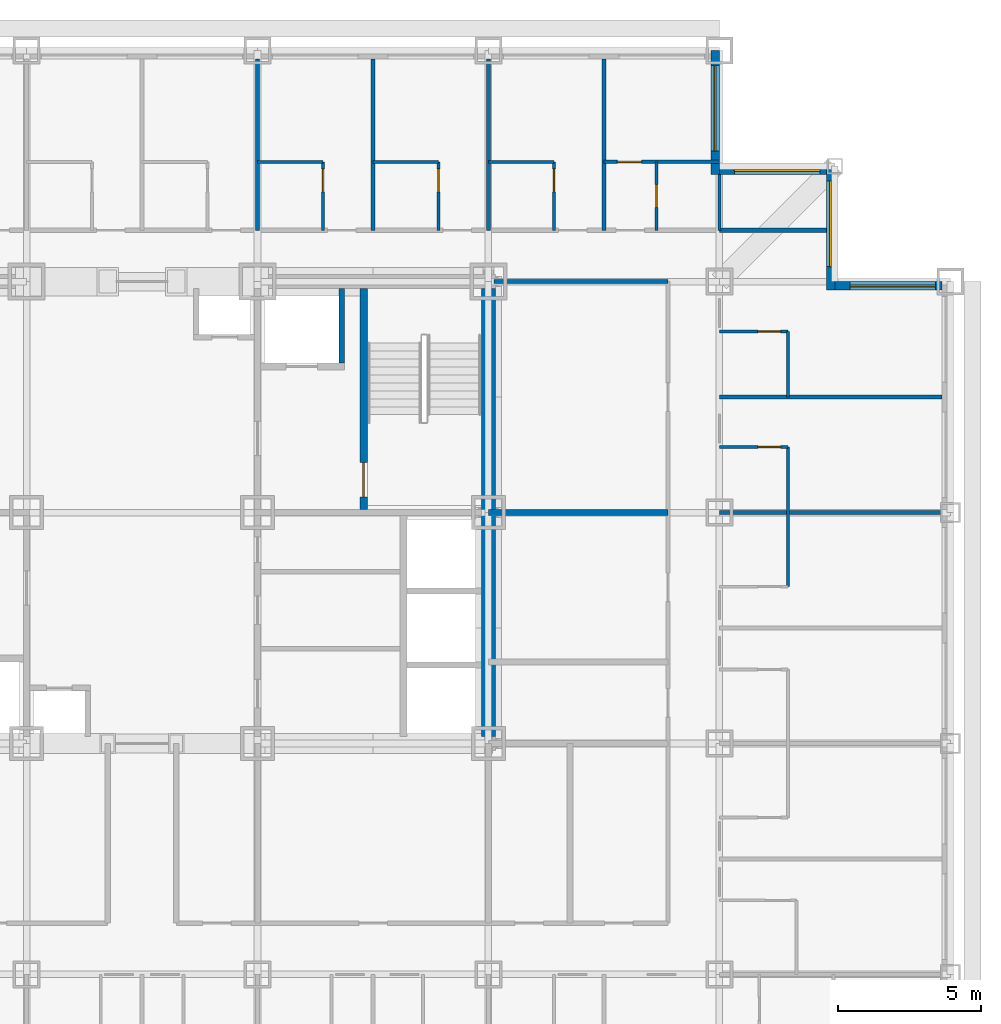
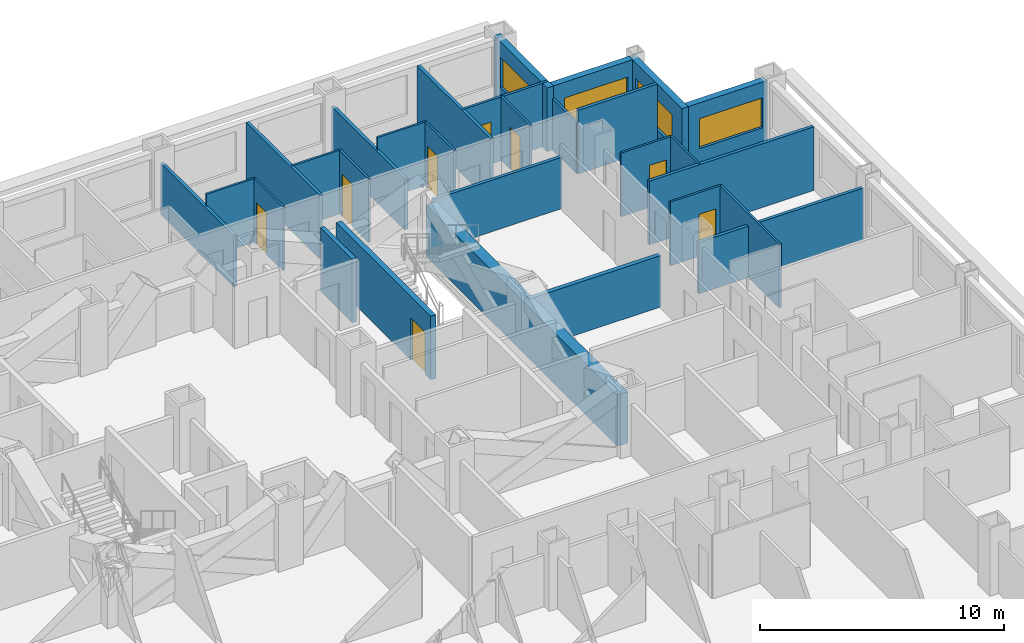
# One storey, part 10 of 12: 29 walls, 8 doors, 4 windows, 12 openings.
"""IFC4 building model written with IfcOpenShell, lengths in metres."""

from ifc_helpers import new_model, si_unit, direction, frame, frame_2d, origin, place, context, subcontext, project, spatial, rectangle, extrude, material, layer, layer_set, type_object, element, fill, save


model = new_model("IFC4")

# Units and contexts
model_context = context("Model", 3, precision=1e-05, world=origin(), true_north=direction((0.0, 1.0)))
body_context = subcontext(model_context, "Body", "Model", "MODEL_VIEW")
ifc_project = project(units=[si_unit("LENGTHUNIT", "METRE"), si_unit("AREAUNIT", "SQUARE_METRE"), si_unit("VOLUMEUNIT", "CUBIC_METRE"), si_unit("PLANEANGLEUNIT", "RADIAN"), si_unit("MASSUNIT", "GRAM", prefix="KILO")], contexts=[model_context])

# Site, building, storey
site_placement = place(None, origin())
site = spatial("IfcSite", under=ifc_project, at=site_placement, CompositionType="ELEMENT")
building_placement = place(site_placement, origin())
building = spatial("IfcBuilding", under=site, at=building_placement, Name="Kopane Lantern Tower", CompositionType="ELEMENT")
storey_placement = place(building_placement, frame((0.0, 0.0, 43.199951171875)))
storey = spatial("IfcBuildingStorey", under=building, at=storey_placement, Name="L09", CompositionType="ELEMENT", Elevation=43.199951171875)

# Wall, opening, door
ifc_material_1 = material(Name="Gypsum board on steel studs", Category="steel")
ifc_layer_1 = layer(ifc_material_1, 0.1201171875)
ifc_layer_set_1 = layer_set([ifc_layer_1], Name="APARTMENT INTERNAL WALL 120")
wall_type_1 = type_object("IfcWallType", Name="APARTMENT INTERNAL WALL 120", PredefinedType="PARTITIONING", material=ifc_layer_set_1)
wall_1_placement = place(storey_placement, frame((44.550048828125, 44.699951171875, 0.0), z_axis=(0.0, 0.0, 1.0), x_axis=(1.0, 0.0, 0.0)))
wall_1 = element("IfcWall", 1, at=wall_1_placement, inside=storey, type_object=wall_type_1, Name="Apartment Internal Wall 120 L09", PredefinedType="PARTITIONING", context=body_context, shape_type="SweptSolid", body=[
    extrude(rectangle(XDim=4.050048828125, YDim=0.1201171875, at=frame_2d((2.02490234375, 0.0))), origin(), (0.0, 0.0, 1.0), 3.18994140625),
])
opening_1_placement = place(wall_1_placement, frame((0.47509765625, 0.0, 0.0)))
opening_1 = element("IfcOpeningElement", 2, at=opening_1_placement, cuts=wall_1, Name="Opening L09-085", PredefinedType="OPENING", context=body_context, shape_type="SweptSolid", body=[
    extrude(rectangle(XDim=0.85009765625, YDim=2.10009765625, at=frame_2d((0.425048828125, 1.050048828125))), frame((0.0, 0.070068359375, 0.0), z_axis=(0.0, -1.0, 0.0), x_axis=(1.0, 0.0, 0.0)), (0.0, 0.0, 1.0), 0.14013671875),
])
ifc_material_2 = material(Name="Timber door set", Category="wood")
door_type_1 = type_object("IfcDoorType", Name="DOOR D4 850x2100", OperationType="SINGLE_SWING_LEFT", PredefinedType="DOOR", material=ifc_material_2)
door_1_placement = place(opening_1_placement, origin())
door_1 = element("IfcDoor", 3, at=door_1_placement, inside=storey, type_object=door_type_1, Name="Door L09-085", OperationType="SINGLE_SWING_LEFT", OverallHeight=2.10009765625, OverallWidth=0.85009765625, PredefinedType="DOOR", context=body_context, shape_type="SweptSolid", body=[
    extrude(rectangle(XDim=0.85009765625, YDim=2.10009765625, at=frame_2d((0.425048828125, 1.050048828125))), frame((0.0, 0.02490234375, 0.0), z_axis=(0.0, -1.0, 0.0), x_axis=(1.0, 0.0, 0.0)), (0.0, 0.0, 1.0), 0.050048828125),
])
fill(opening_1, door_1)

# Wall
ifc_material_3 = material(Name="Moisture-resistant board on steel studs", Category="steel")
ifc_layer_2 = layer(ifc_material_3, 0.10009765625)
ifc_layer_set_2 = layer_set([ifc_layer_2], Name="BATHROOM WALL 100")
wall_type_2 = type_object("IfcWallType", Name="BATHROOM WALL 100", PredefinedType="PARTITIONING", material=ifc_layer_set_2)
wall_2_placement = place(storey_placement, frame((32.39990234375, 44.699951171875, 0.0), z_axis=(0.0, 0.0, 1.0), x_axis=(1.0, 0.0, 0.0)))
element("IfcWall", 4, at=wall_2_placement, inside=storey, type_object=wall_type_2, Name="Bathroom Wall 100 L09", PredefinedType="PARTITIONING", context=body_context, shape_type="SweptSolid", body=[
    extrude(rectangle(XDim=2.300048828125, YDim=0.10009765625, at=frame_2d((1.14990234375, 0.0))), origin(), (0.0, 0.0, 1.0), 3.18994140625),
])

# Wall, opening, door
wall_3_placement = place(storey_placement, frame((34.699951171875, 42.300048828125, 0.0), z_axis=(0.0, 0.0, 1.0), x_axis=(0.0, 1.0, 0.0)))
wall_3 = element("IfcWall", 5, at=wall_3_placement, inside=storey, type_object=wall_type_2, Name="Bathroom Wall 100 L09", PredefinedType="PARTITIONING", context=body_context, shape_type="SweptSolid", body=[
    extrude(rectangle(XDim=2.39990234375, YDim=0.10009765625, at=frame_2d((1.199951171875, 0.0))), origin(), (0.0, 0.0, 1.0), 3.18994140625),
])
opening_2_placement = place(wall_3_placement, frame((1.35009765625, 0.0, 0.0)))
opening_2 = element("IfcOpeningElement", 6, at=opening_2_placement, cuts=wall_3, Name="Opening L09-043", PredefinedType="OPENING", context=body_context, shape_type="SweptSolid", body=[
    extrude(rectangle(XDim=0.800048828125, YDim=2.10009765625, at=frame_2d((0.39990234375, 1.050048828125))), frame((0.0, 0.06005859375, 0.0), z_axis=(0.0, -1.0, 0.0), x_axis=(1.0, 0.0, 0.0)), (0.0, 0.0, 1.0), 0.1201171875),
])
ifc_material_4 = material(Name="Timber door set", Category="wood")
door_type_2 = type_object("IfcDoorType", Name="DOOR D2 800x2100", OperationType="SINGLE_SWING_LEFT", PredefinedType="DOOR", material=ifc_material_4)
door_2_placement = place(opening_2_placement, origin())
door_2 = element("IfcDoor", 7, at=door_2_placement, inside=storey, type_object=door_type_2, Name="Door L09-043", OperationType="SINGLE_SWING_RIGHT", OverallHeight=2.10009765625, OverallWidth=0.800048828125, PredefinedType="DOOR", context=body_context, shape_type="SweptSolid", body=[
    extrude(rectangle(XDim=0.800048828125, YDim=2.10009765625, at=frame_2d((0.39990234375, 1.050048828125))), frame((0.0, 0.02490234375, 0.0), z_axis=(0.0, -1.0, 0.0), x_axis=(1.0, 0.0, 0.0)), (0.0, 0.0, 1.0), 0.050048828125),
])
fill(opening_2, door_2)

# Wall
wall_4_placement = place(storey_placement, frame((36.449951171875, 44.699951171875, 0.0), z_axis=(0.0, 0.0, 1.0), x_axis=(1.0, 0.0, 0.0)))
element("IfcWall", 8, at=wall_4_placement, inside=storey, type_object=wall_type_2, Name="Bathroom Wall 100 L09", PredefinedType="PARTITIONING", context=body_context, shape_type="SweptSolid", body=[
    extrude(rectangle(XDim=2.300048828125, YDim=0.10009765625, at=frame_2d((1.14990234375, 0.0))), origin(), (0.0, 0.0, 1.0), 3.18994140625),
])

# Wall, opening, door
wall_5_placement = place(storey_placement, frame((38.75, 42.300048828125, 0.0), z_axis=(0.0, 0.0, 1.0), x_axis=(0.0, 1.0, 0.0)))
wall_5 = element("IfcWall", 9, at=wall_5_placement, inside=storey, type_object=wall_type_2, Name="Bathroom Wall 100 L09", PredefinedType="PARTITIONING", context=body_context, shape_type="SweptSolid", body=[
    extrude(rectangle(XDim=2.39990234375, YDim=0.10009765625, at=frame_2d((1.199951171875, 0.0))), origin(), (0.0, 0.0, 1.0), 3.18994140625),
])
opening_3_placement = place(wall_5_placement, frame((1.35009765625, 0.0, 0.0)))
opening_3 = element("IfcOpeningElement", 10, at=opening_3_placement, cuts=wall_5, Name="Opening L09-045", PredefinedType="OPENING", context=body_context, shape_type="SweptSolid", body=[
    extrude(rectangle(XDim=0.800048828125, YDim=2.10009765625, at=frame_2d((0.39990234375, 1.050048828125))), frame((0.0, 0.06005859375, 0.0), z_axis=(0.0, -1.0, 0.0), x_axis=(1.0, 0.0, 0.0)), (0.0, 0.0, 1.0), 0.1201171875),
])
door_3_placement = place(opening_3_placement, origin())
door_3 = element("IfcDoor", 11, at=door_3_placement, inside=storey, type_object=door_type_2, Name="Door L09-045", OperationType="SINGLE_SWING_RIGHT", OverallHeight=2.10009765625, OverallWidth=0.800048828125, PredefinedType="DOOR", context=body_context, shape_type="SweptSolid", body=[
    extrude(rectangle(XDim=0.800048828125, YDim=2.10009765625, at=frame_2d((0.39990234375, 1.050048828125))), frame((0.0, 0.02490234375, 0.0), z_axis=(0.0, -1.0, 0.0), x_axis=(1.0, 0.0, 0.0)), (0.0, 0.0, 1.0), 0.050048828125),
])
fill(opening_3, door_3)

# Wall
wall_6_placement = place(storey_placement, frame((40.5, 44.699951171875, 0.0), z_axis=(0.0, 0.0, 1.0), x_axis=(1.0, 0.0, 0.0)))
element("IfcWall", 12, at=wall_6_placement, inside=storey, type_object=wall_type_2, Name="Bathroom Wall 100 L09", PredefinedType="PARTITIONING", context=body_context, shape_type="SweptSolid", body=[
    extrude(rectangle(XDim=2.300048828125, YDim=0.10009765625, at=frame_2d((1.14990234375, 0.0))), origin(), (0.0, 0.0, 1.0), 3.18994140625),
])

# Wall, opening, door
wall_7_placement = place(storey_placement, frame((42.800048828125, 42.300048828125, 0.0), z_axis=(0.0, 0.0, 1.0), x_axis=(0.0, 1.0, 0.0)))
wall_7 = element("IfcWall", 13, at=wall_7_placement, inside=storey, type_object=wall_type_2, Name="Bathroom Wall 100 L09", PredefinedType="PARTITIONING", context=body_context, shape_type="SweptSolid", body=[
    extrude(rectangle(XDim=2.39990234375, YDim=0.10009765625, at=frame_2d((1.199951171875, 0.0))), origin(), (0.0, 0.0, 1.0), 3.18994140625),
])
opening_4_placement = place(wall_7_placement, frame((1.35009765625, 0.0, 0.0)))
opening_4 = element("IfcOpeningElement", 14, at=opening_4_placement, cuts=wall_7, Name="Opening L09-047", PredefinedType="OPENING", context=body_context, shape_type="SweptSolid", body=[
    extrude(rectangle(XDim=0.800048828125, YDim=2.10009765625, at=frame_2d((0.39990234375, 1.050048828125))), frame((0.0, 0.06005859375, 0.0), z_axis=(0.0, -1.0, 0.0), x_axis=(1.0, 0.0, 0.0)), (0.0, 0.0, 1.0), 0.1201171875),
])
door_4_placement = place(opening_4_placement, origin())
door_4 = element("IfcDoor", 15, at=door_4_placement, inside=storey, type_object=door_type_2, Name="Door L09-047", OperationType="SINGLE_SWING_RIGHT", OverallHeight=2.10009765625, OverallWidth=0.800048828125, PredefinedType="DOOR", context=body_context, shape_type="SweptSolid", body=[
    extrude(rectangle(XDim=0.800048828125, YDim=2.10009765625, at=frame_2d((0.39990234375, 1.050048828125))), frame((0.0, 0.02490234375, 0.0), z_axis=(0.0, -1.0, 0.0), x_axis=(1.0, 0.0, 0.0)), (0.0, 0.0, 1.0), 0.050048828125),
])
fill(opening_4, door_4)

# Wall
wall_8_placement = place(storey_placement, frame((51.0, 29.800048828125, 0.0), z_axis=(0.0, 0.0, 1.0), x_axis=(0.0, 1.0, 0.0)))
element("IfcWall", 16, at=wall_8_placement, inside=storey, type_object=wall_type_2, Name="Bathroom Wall 100 L09", PredefinedType="PARTITIONING", context=body_context, shape_type="SweptSolid", body=[
    extrude(rectangle(XDim=4.89990234375, YDim=0.10009765625, at=frame_2d((2.449951171875, 0.0))), origin(), (0.0, 0.0, 1.0), 3.18994140625),
])

# Wall, opening, door
wall_9_placement = place(storey_placement, frame((48.60009765625, 34.699951171875, 0.0), z_axis=(0.0, 0.0, 1.0), x_axis=(1.0, 0.0, 0.0)))
wall_9 = element("IfcWall", 17, at=wall_9_placement, inside=storey, type_object=wall_type_2, Name="Bathroom Wall 100 L09", PredefinedType="PARTITIONING", context=body_context, shape_type="SweptSolid", body=[
    extrude(rectangle(XDim=2.39990234375, YDim=0.10009765625, at=frame_2d((1.199951171875, 0.0))), origin(), (0.0, 0.0, 1.0), 3.18994140625),
])
opening_5_placement = place(wall_9_placement, frame((1.35009765625, 0.0, 0.0)))
opening_5 = element("IfcOpeningElement", 18, at=opening_5_placement, cuts=wall_9, Name="Opening L09-069", PredefinedType="OPENING", context=body_context, shape_type="SweptSolid", body=[
    extrude(rectangle(XDim=0.800048828125, YDim=2.10009765625, at=frame_2d((0.39990234375, 1.050048828125))), frame((0.0, 0.06005859375, 0.0), z_axis=(0.0, -1.0, 0.0), x_axis=(1.0, 0.0, 0.0)), (0.0, 0.0, 1.0), 0.1201171875),
])
door_5_placement = place(opening_5_placement, origin())
door_5 = element("IfcDoor", 19, at=door_5_placement, inside=storey, type_object=door_type_2, Name="Door L09-069", OperationType="SINGLE_SWING_LEFT", OverallHeight=2.10009765625, OverallWidth=0.800048828125, PredefinedType="DOOR", context=body_context, shape_type="SweptSolid", body=[
    extrude(rectangle(XDim=0.800048828125, YDim=2.10009765625, at=frame_2d((0.39990234375, 1.050048828125))), frame((0.0, 0.02490234375, 0.0), z_axis=(0.0, -1.0, 0.0), x_axis=(1.0, 0.0, 0.0)), (0.0, 0.0, 1.0), 0.050048828125),
])
fill(opening_5, door_5)

# Wall
wall_10_placement = place(storey_placement, frame((51.0, 36.449951171875, 0.0), z_axis=(0.0, 0.0, 1.0), x_axis=(0.0, 1.0, 0.0)))
element("IfcWall", 20, at=wall_10_placement, inside=storey, type_object=wall_type_2, Name="Bathroom Wall 100 L09", PredefinedType="PARTITIONING", context=body_context, shape_type="SweptSolid", body=[
    extrude(rectangle(XDim=2.300048828125, YDim=0.10009765625, at=frame_2d((1.14990234375, 0.0))), origin(), (0.0, 0.0, 1.0), 3.18994140625),
])

# Wall, opening, door
wall_11_placement = place(storey_placement, frame((48.60009765625, 38.75, 0.0), z_axis=(0.0, 0.0, 1.0), x_axis=(1.0, 0.0, 0.0)))
wall_11 = element("IfcWall", 21, at=wall_11_placement, inside=storey, type_object=wall_type_2, Name="Bathroom Wall 100 L09", PredefinedType="PARTITIONING", context=body_context, shape_type="SweptSolid", body=[
    extrude(rectangle(XDim=2.39990234375, YDim=0.10009765625, at=frame_2d((1.199951171875, 0.0))), origin(), (0.0, 0.0, 1.0), 3.18994140625),
])
opening_6_placement = place(wall_11_placement, frame((1.35009765625, 0.0, 0.0)))
opening_6 = element("IfcOpeningElement", 22, at=opening_6_placement, cuts=wall_11, Name="Opening L09-071", PredefinedType="OPENING", context=body_context, shape_type="SweptSolid", body=[
    extrude(rectangle(XDim=0.800048828125, YDim=2.10009765625, at=frame_2d((0.39990234375, 1.050048828125))), frame((0.0, 0.06005859375, 0.0), z_axis=(0.0, -1.0, 0.0), x_axis=(1.0, 0.0, 0.0)), (0.0, 0.0, 1.0), 0.1201171875),
])
door_6_placement = place(opening_6_placement, origin())
door_6 = element("IfcDoor", 23, at=door_6_placement, inside=storey, type_object=door_type_2, Name="Door L09-071", OperationType="SINGLE_SWING_LEFT", OverallHeight=2.10009765625, OverallWidth=0.800048828125, PredefinedType="DOOR", context=body_context, shape_type="SweptSolid", body=[
    extrude(rectangle(XDim=0.800048828125, YDim=2.10009765625, at=frame_2d((0.39990234375, 1.050048828125))), frame((0.0, 0.02490234375, 0.0), z_axis=(0.0, -1.0, 0.0), x_axis=(1.0, 0.0, 0.0)), (0.0, 0.0, 1.0), 0.050048828125),
])
fill(opening_6, door_6)

wall_12_placement = place(storey_placement, frame((46.39990234375, 42.300048828125, 0.0), z_axis=(0.0, 0.0, 1.0), x_axis=(0.0, 1.0, 0.0)))
wall_12 = element("IfcWall", 24, at=wall_12_placement, inside=storey, type_object=wall_type_2, Name="Bathroom Wall 100 L09", PredefinedType="PARTITIONING", context=body_context, shape_type="SweptSolid", body=[
    extrude(rectangle(XDim=2.39990234375, YDim=0.10009765625, at=frame_2d((1.199951171875, 0.0))), origin(), (0.0, 0.0, 1.0), 3.18994140625),
])
opening_7_placement = place(wall_12_placement, frame((0.800048828125, 0.0, 0.0)))
opening_7 = element("IfcOpeningElement", 25, at=opening_7_placement, cuts=wall_12, Name="Opening L09-083", PredefinedType="OPENING", context=body_context, shape_type="SweptSolid", body=[
    extrude(rectangle(XDim=0.800048828125, YDim=2.10009765625, at=frame_2d((0.39990234375, 1.050048828125))), frame((0.0, 0.06005859375, 0.0), z_axis=(0.0, -1.0, 0.0), x_axis=(1.0, 0.0, 0.0)), (0.0, 0.0, 1.0), 0.1201171875),
])
door_7_placement = place(opening_7_placement, origin())
door_7 = element("IfcDoor", 26, at=door_7_placement, inside=storey, type_object=door_type_2, Name="Door L09-083", OperationType="SINGLE_SWING_RIGHT", OverallHeight=2.10009765625, OverallWidth=0.800048828125, PredefinedType="DOOR", context=body_context, shape_type="SweptSolid", body=[
    extrude(rectangle(XDim=0.800048828125, YDim=2.10009765625, at=frame_2d((0.39990234375, 1.050048828125))), frame((0.0, 0.02490234375, 0.0), z_axis=(0.0, -1.0, 0.0), x_axis=(1.0, 0.0, 0.0)), (0.0, 0.0, 1.0), 0.050048828125),
])
fill(opening_7, door_7)

# Walls
wall_13_placement = place(storey_placement, frame((48.60009765625, 42.300048828125, 0.0), z_axis=(0.0, 0.0, 1.0), x_axis=(0.0, 1.0, 0.0)))
element("IfcWall", 27, at=wall_13_placement, inside=storey, type_object=wall_type_2, Name="Bathroom Wall 100 L09", PredefinedType="PARTITIONING", context=body_context, shape_type="SweptSolid", body=[
    extrude(rectangle(XDim=1.949951171875, YDim=0.10009765625, at=frame_2d((0.97509765625, 0.0))), origin(), (0.0, 0.0, 1.0), 2.577880859375),
])
ifc_material_5 = material(Name="Gypsum shaft wall EI 120", Category="gypsum")
ifc_layer_3 = layer(ifc_material_5, 0.5)
ifc_layer_set_3 = layer_set([ifc_layer_3], Name="CORE PERIMETER WALL 500 EI 120")
wall_type_3 = type_object("IfcWallType", Name="CORE PERIMETER WALL 500 EI 120", PredefinedType="SOLIDWALL", material=ifc_layer_set_3)
wall_14_placement = place(storey_placement, frame((40.5, 24.550048828125, 0.0), z_axis=(0.0, 0.0, 1.0), x_axis=(0.0, 1.0, 0.0)))
element("IfcWall", 28, at=wall_14_placement, inside=storey, type_object=wall_type_3, Name="Core shaft wall L09 PE", PredefinedType="SOLIDWALL", context=body_context, shape_type="SweptSolid", body=[
    extrude(rectangle(XDim=15.699951171875, YDim=0.5, at=frame_2d((7.85009765625, 0.0))), origin(), (0.0, 0.0, 1.0), 2.577880859375),
])

# Wall, opening, door
ifc_material_6 = material(Name="Gypsum shaft wall EI 120", Category="gypsum")
ifc_layer_4 = layer(ifc_material_6, 0.25)
ifc_layer_set_4 = layer_set([ifc_layer_4], Name="CORE SHAFT WALL 250 EI 120")
wall_type_4 = type_object("IfcWallType", Name="CORE SHAFT WALL 250 EI 120", PredefinedType="SOLIDWALL", material=ifc_layer_set_4)
wall_15_placement = place(storey_placement, frame((36.125, 32.5, 0.0), z_axis=(0.0, 0.0, 1.0), x_axis=(0.0, 1.0, 0.0)))
wall_15 = element("IfcWall", 29, at=wall_15_placement, inside=storey, type_object=wall_type_4, Name="Core shaft wall L09 XST2", PredefinedType="SOLIDWALL", context=body_context, shape_type="SweptSolid", body=[
    extrude(rectangle(XDim=7.75, YDim=0.25, at=frame_2d((3.875, 0.0))), origin(), (0.0, 0.0, 1.0), 3.18994140625),
])
opening_8_placement = place(wall_15_placement, frame((0.449951171875, 0.0, 0.0)))
opening_8 = element("IfcOpeningElement", 30, at=opening_8_placement, cuts=wall_15, Name="Opening 09.SD2", PredefinedType="OPENING", context=body_context, shape_type="SweptSolid", body=[
    extrude(rectangle(XDim=1.199951171875, YDim=2.10009765625, at=frame_2d((0.60009765625, 1.050048828125))), frame((0.0, 0.135009765625, 0.0), z_axis=(0.0, -1.0, 0.0), x_axis=(1.0, 0.0, 0.0)), (0.0, 0.0, 1.0), 0.27001953125),
])
ifc_material_7 = material(Name="Steel door set", Category="steel")
door_type_3 = type_object("IfcDoorType", Name="STAIR DOOR 1200x2100 FD60S", OperationType="SINGLE_SWING_LEFT", PredefinedType="DOOR", material=ifc_material_7)
door_8_placement = place(opening_8_placement, origin())
door_8 = element("IfcDoor", 31, at=door_8_placement, inside=storey, type_object=door_type_3, Name="Stair door ST2 L09", OperationType="SINGLE_SWING_RIGHT", OverallHeight=2.10009765625, OverallWidth=1.199951171875, PredefinedType="DOOR", context=body_context, shape_type="SweptSolid", body=[
    extrude(rectangle(XDim=1.199951171875, YDim=2.10009765625, at=frame_2d((0.60009765625, 1.050048828125))), frame((0.0, 0.02490234375, 0.0), z_axis=(0.0, -1.0, 0.0), x_axis=(1.0, 0.0, 0.0)), (0.0, 0.0, 1.0), 0.050048828125),
])
fill(opening_8, door_8)

# Walls
ifc_material_8 = material(Name="Gypsum board on steel studs", Category="steel")
ifc_layer_5 = layer(ifc_material_8, 0.14990234375)
ifc_layer_set_5 = layer_set([ifc_layer_5], Name="CORRIDOR WALL 150 EI 60")
wall_type_5 = type_object("IfcWallType", Name="CORRIDOR WALL 150 EI 60", PredefinedType="PARTITIONING", material=ifc_layer_set_5)
wall_16_placement = place(storey_placement, frame((46.800048828125, 40.5, 0.0), z_axis=(0.0, 0.0, 1.0), x_axis=(-1.0, 0.0, 0.0)))
element("IfcWall", 32, at=wall_16_placement, inside=storey, type_object=wall_type_5, Name="Corridor Wall 150 Ei 60 L09", PredefinedType="PARTITIONING", context=body_context, shape_type="SweptSolid", body=[
    extrude(rectangle(XDim=6.10009765625, YDim=0.14990234375, at=frame_2d((3.050048828125, 0.0))), origin(), (0.0, 0.0, 1.0), 2.577880859375),
])
ifc_material_9 = material(Name="Gypsum board on steel studs", Category="steel")
ifc_layer_6 = layer(ifc_material_9, 0.14990234375)
ifc_layer_set_6 = layer_set([ifc_layer_6], Name="DEMISING WALL 150 EI 60")
wall_type_6 = type_object("IfcWallType", Name="DEMISING WALL 150 EI 60", PredefinedType="PARTITIONING", material=ifc_layer_set_6)
wall_17_placement = place(storey_placement, frame((32.39990234375, 42.300048828125, 0.0), z_axis=(0.0, 0.0, 1.0), x_axis=(0.0, 1.0, 0.0)))
element("IfcWall", 33, at=wall_17_placement, inside=storey, type_object=wall_type_6, Name="Demising Wall 150 Ei 60 L09", PredefinedType="PARTITIONING", context=body_context, shape_type="SweptSolid", body=[
    extrude(rectangle(XDim=6.0, YDim=0.14990234375, at=frame_2d((3.0, 0.0))), origin(), (0.0, 0.0, 1.0), 2.577880859375),
])
wall_18_placement = place(storey_placement, frame((36.449951171875, 42.300048828125, 0.0), z_axis=(0.0, 0.0, 1.0), x_axis=(0.0, 1.0, 0.0)))
element("IfcWall", 34, at=wall_18_placement, inside=storey, type_object=wall_type_6, Name="Demising Wall 150 Ei 60 L09", PredefinedType="PARTITIONING", context=body_context, shape_type="SweptSolid", body=[
    extrude(rectangle(XDim=6.0, YDim=0.14990234375, at=frame_2d((3.0, 0.0))), origin(), (0.0, 0.0, 1.0), 3.18994140625),
])
wall_19_placement = place(storey_placement, frame((40.5, 42.300048828125, 0.0), z_axis=(0.0, 0.0, 1.0), x_axis=(0.0, 1.0, 0.0)))
element("IfcWall", 35, at=wall_19_placement, inside=storey, type_object=wall_type_6, Name="Demising Wall 150 Ei 60 L09", PredefinedType="PARTITIONING", context=body_context, shape_type="SweptSolid", body=[
    extrude(rectangle(XDim=6.0, YDim=0.14990234375, at=frame_2d((3.0, 0.0))), origin(), (0.0, 0.0, 1.0), 2.577880859375),
])
wall_20_placement = place(storey_placement, frame((48.60009765625, 32.39990234375, 0.0), z_axis=(0.0, 0.0, 1.0), x_axis=(1.0, 0.0, 0.0)))
element("IfcWall", 36, at=wall_20_placement, inside=storey, type_object=wall_type_6, Name="Demising Wall 150 Ei 60 L09", PredefinedType="PARTITIONING", context=body_context, shape_type="SweptSolid", body=[
    extrude(rectangle(XDim=7.7998046875, YDim=0.14990234375, at=frame_2d((3.89990234375, 0.0))), origin(), (0.0, 0.0, 1.0), 2.577880859375),
])
wall_21_placement = place(storey_placement, frame((48.60009765625, 36.449951171875, 0.0), z_axis=(0.0, 0.0, 1.0), x_axis=(1.0, 0.0, 0.0)))
element("IfcWall", 37, at=wall_21_placement, inside=storey, type_object=wall_type_6, Name="Demising Wall 150 Ei 60 L09", PredefinedType="PARTITIONING", context=body_context, shape_type="SweptSolid", body=[
    extrude(rectangle(XDim=7.7998046875, YDim=0.14990234375, at=frame_2d((3.89990234375, 0.0))), origin(), (0.0, 0.0, 1.0), 3.18994140625),
])
wall_22_placement = place(storey_placement, frame((48.60009765625, 42.300048828125, 0.0), z_axis=(0.0, 0.0, 1.0), x_axis=(1.0, 0.0, 0.0)))
element("IfcWall", 38, at=wall_22_placement, inside=storey, type_object=wall_type_6, Name="Demising Wall 150 Ei 60 L09", PredefinedType="PARTITIONING", context=body_context, shape_type="SweptSolid", body=[
    extrude(rectangle(XDim=3.75, YDim=0.14990234375, at=frame_2d((1.875, 0.0))), origin(), (0.0, 0.0, 1.0), 3.18994140625),
])
wall_23_placement = place(storey_placement, frame((44.550048828125, 42.300048828125, 0.0), z_axis=(0.0, 0.0, 1.0), x_axis=(0.0, 1.0, 0.0)))
element("IfcWall", 39, at=wall_23_placement, inside=storey, type_object=wall_type_6, Name="Demising Wall 150 Ei 60 L09", PredefinedType="PARTITIONING", context=body_context, shape_type="SweptSolid", body=[
    extrude(rectangle(XDim=6.0, YDim=0.14990234375, at=frame_2d((3.0, 0.0))), origin(), (0.0, 0.0, 1.0), 3.18994140625),
])

# Wall, opening, window
ifc_material_10 = material(Name="Terracotta rainscreen on light steel framing", Category="masonry")
ifc_layer_7 = layer(ifc_material_10, 0.300048828125)
ifc_layer_set_7 = layer_set([ifc_layer_7], Name="EXTERNAL WALL EW1 300 TERRACOTTA")
wall_type_7 = type_object("IfcWallType", Name="EXTERNAL WALL EW1 300 TERRACOTTA", PredefinedType="SOLIDWALL", material=ifc_layer_set_7)
wall_24_placement = place(storey_placement, frame((56.39990234375, 40.35009765625, 0.0), z_axis=(0.0, 0.0, 1.0), x_axis=(-1.0, 0.0, 0.0)))
wall_24 = element("IfcWall", 40, at=wall_24_placement, inside=storey, type_object=wall_type_7, Name="External wall N L09", PredefinedType="SOLIDWALL", context=body_context, shape_type="SweptSolid", body=[
    extrude(rectangle(XDim=3.75, YDim=0.300048828125, at=frame_2d((1.875, 0.0))), origin(), (0.0, 0.0, 1.0), 3.18994140625),
])
opening_9_placement = place(wall_24_placement, frame((0.22509765625, 0.0, 0.89990234375)))
opening_9 = element("IfcOpeningElement", 41, at=opening_9_placement, cuts=wall_24, Name="Opening WR300150", PredefinedType="OPENING", context=body_context, shape_type="SweptSolid", body=[
    extrude(rectangle(XDim=3.0, YDim=1.5, at=frame_2d((1.5, 0.75))), frame((0.0, 0.159912109375, 0.0), z_axis=(0.0, -1.0, 0.0), x_axis=(1.0, 0.0, 0.0)), (0.0, 0.0, 1.0), 0.320068359375),
])
ifc_material_11 = material(Name="Aluminium and clear glass", Category="aluminium")
window_type = type_object("IfcWindowType", Name="RIBBON WINDOW WR300150 3000x1500", PartitioningType="SINGLE_PANEL", PredefinedType="WINDOW", material=ifc_material_11)
window_1_placement = place(opening_9_placement, origin())
window_1 = element("IfcWindow", 42, at=window_1_placement, inside=storey, type_object=window_type, Name="Window N L09", OverallHeight=1.5, OverallWidth=3.0, PartitioningType="SINGLE_PANEL", PredefinedType="WINDOW", context=body_context, shape_type="SweptSolid", body=[
    extrude(rectangle(XDim=3.0, YDim=1.5, at=frame_2d((1.5, 0.75))), frame((0.0, 0.030029296875, 0.0), z_axis=(0.0, -1.0, 0.0), x_axis=(1.0, 0.0, 0.0)), (0.0, 0.0, 1.0), 0.06005859375),
])
fill(opening_9, window_1)

wall_25_placement = place(storey_placement, frame((52.5, 40.199951171875, 0.0), z_axis=(0.0, 0.0, 1.0), x_axis=(0.0, 1.0, 0.0)))
wall_25 = element("IfcWall", 43, at=wall_25_placement, inside=storey, type_object=wall_type_7, Name="External wall E L09", PredefinedType="SOLIDWALL", context=body_context, shape_type="SweptSolid", body=[
    extrude(rectangle(XDim=4.35009765625, YDim=0.300048828125, at=frame_2d((2.175048828125, 0.0))), origin(), (0.0, 0.0, 1.0), 3.18994140625),
])
opening_10_placement = place(wall_25_placement, frame((0.824951171875, 0.0, 0.89990234375)))
opening_10 = element("IfcOpeningElement", 44, at=opening_10_placement, cuts=wall_25, Name="Opening WR300150", PredefinedType="OPENING", context=body_context, shape_type="SweptSolid", body=[
    extrude(rectangle(XDim=3.0, YDim=1.5, at=frame_2d((1.5, 0.75))), frame((0.0, 0.159912109375, 0.0), z_axis=(0.0, -1.0, 0.0), x_axis=(1.0, 0.0, 0.0)), (0.0, 0.0, 1.0), 0.320068359375),
])
window_2_placement = place(opening_10_placement, origin())
window_2 = element("IfcWindow", 45, at=window_2_placement, inside=storey, type_object=window_type, Name="Window E L09", OverallHeight=1.5, OverallWidth=3.0, PartitioningType="SINGLE_PANEL", PredefinedType="WINDOW", context=body_context, shape_type="SweptSolid", body=[
    extrude(rectangle(XDim=3.0, YDim=1.5, at=frame_2d((1.5, 0.75))), frame((0.0, 0.030029296875, 0.0), z_axis=(0.0, -1.0, 0.0), x_axis=(1.0, 0.0, 0.0)), (0.0, 0.0, 1.0), 0.06005859375),
])
fill(opening_10, window_2)

wall_26_placement = place(storey_placement, frame((52.35009765625, 44.39990234375, 0.0), z_axis=(0.0, 0.0, 1.0), x_axis=(-1.0, 0.0, 0.0)))
wall_26 = element("IfcWall", 46, at=wall_26_placement, inside=storey, type_object=wall_type_7, Name="External wall N L09", PredefinedType="SOLIDWALL", context=body_context, shape_type="SweptSolid", body=[
    extrude(rectangle(XDim=3.75, YDim=0.300048828125, at=frame_2d((1.875, 0.0))), origin(), (0.0, 0.0, 1.0), 3.18994140625),
])
opening_11_placement = place(wall_26_placement, frame((0.22509765625, 0.0, 0.89990234375)))
opening_11 = element("IfcOpeningElement", 47, at=opening_11_placement, cuts=wall_26, Name="Opening WR300150", PredefinedType="OPENING", context=body_context, shape_type="SweptSolid", body=[
    extrude(rectangle(XDim=3.0, YDim=1.5, at=frame_2d((1.5, 0.75))), frame((0.0, 0.159912109375, 0.0), z_axis=(0.0, -1.0, 0.0), x_axis=(1.0, 0.0, 0.0)), (0.0, 0.0, 1.0), 0.320068359375),
])
window_3_placement = place(opening_11_placement, origin())
window_3 = element("IfcWindow", 48, at=window_3_placement, inside=storey, type_object=window_type, Name="Window N L09", OverallHeight=1.5, OverallWidth=3.0, PartitioningType="SINGLE_PANEL", PredefinedType="WINDOW", context=body_context, shape_type="SweptSolid", body=[
    extrude(rectangle(XDim=3.0, YDim=1.5, at=frame_2d((1.5, 0.75))), frame((0.0, 0.030029296875, 0.0), z_axis=(0.0, -1.0, 0.0), x_axis=(1.0, 0.0, 0.0)), (0.0, 0.0, 1.0), 0.06005859375),
])
fill(opening_11, window_3)

wall_27_placement = place(storey_placement, frame((48.449951171875, 44.25, 0.0), z_axis=(0.0, 0.0, 1.0), x_axis=(0.0, 1.0, 0.0)))
wall_27 = element("IfcWall", 49, at=wall_27_placement, inside=storey, type_object=wall_type_7, Name="External wall E L09", PredefinedType="SOLIDWALL", context=body_context, shape_type="SweptSolid", body=[
    extrude(rectangle(XDim=4.35009765625, YDim=0.300048828125, at=frame_2d((2.175048828125, 0.0))), origin(), (0.0, 0.0, 1.0), 3.18994140625),
])
opening_12_placement = place(wall_27_placement, frame((0.824951171875, 0.0, 0.89990234375)))
opening_12 = element("IfcOpeningElement", 50, at=opening_12_placement, cuts=wall_27, Name="Opening WR300150", PredefinedType="OPENING", context=body_context, shape_type="SweptSolid", body=[
    extrude(rectangle(XDim=3.0, YDim=1.5, at=frame_2d((1.5, 0.75))), frame((0.0, 0.159912109375, 0.0), z_axis=(0.0, -1.0, 0.0), x_axis=(1.0, 0.0, 0.0)), (0.0, 0.0, 1.0), 0.320068359375),
])
window_4_placement = place(opening_12_placement, origin())
window_4 = element("IfcWindow", 51, at=window_4_placement, inside=storey, type_object=window_type, Name="Window E L09", OverallHeight=1.5, OverallWidth=3.0, PartitioningType="SINGLE_PANEL", PredefinedType="WINDOW", context=body_context, shape_type="SweptSolid", body=[
    extrude(rectangle(XDim=3.0, YDim=1.5, at=frame_2d((1.5, 0.75))), frame((0.0, 0.030029296875, 0.0), z_axis=(0.0, -1.0, 0.0), x_axis=(1.0, 0.0, 0.0)), (0.0, 0.0, 1.0), 0.06005859375),
])
fill(opening_12, window_4)

# Walls
ifc_material_12 = material(Name="Concrete masonry", Category="masonry")
ifc_layer_8 = layer(ifc_material_12, 0.199951171875)
ifc_layer_set_8 = layer_set([ifc_layer_8], Name="PLANT ROOM WALL 200 EI 120")
wall_type_8 = type_object("IfcWallType", Name="PLANT ROOM WALL 200 EI 120", PredefinedType="SOLIDWALL", material=ifc_layer_set_8)
wall_28_placement = place(storey_placement, frame((40.5, 32.39990234375, 0.0), z_axis=(0.0, 0.0, 1.0), x_axis=(1.0, 0.0, 0.0)))
element("IfcWall", 52, at=wall_28_placement, inside=storey, type_object=wall_type_8, Name="Plant Room Wall 200 Ei 120 L09", PredefinedType="SOLIDWALL", context=body_context, shape_type="SweptSolid", body=[
    extrude(rectangle(XDim=6.300048828125, YDim=0.199951171875, at=frame_2d((3.14990234375, 0.0))), origin(), (0.0, 0.0, 1.0), 2.577880859375),
])
ifc_material_13 = material(Name="Gypsum shaft wall EI 120", Category="gypsum")
ifc_layer_9 = layer(ifc_material_13, 0.199951171875)
ifc_layer_set_9 = layer_set([ifc_layer_9], Name="SHAFT WALL 200 EI 120")
wall_type_9 = type_object("IfcWallType", Name="SHAFT WALL 200 EI 120", PredefinedType="SOLIDWALL", material=ifc_layer_set_9)
wall_29_placement = place(storey_placement, frame((35.35009765625, 37.64990234375, 0.0), z_axis=(0.0, 0.0, 1.0), x_axis=(0.0, 1.0, 0.0)))
element("IfcWall", 53, at=wall_29_placement, inside=storey, type_object=wall_type_9, Name="Core shaft wall L09 XLF2", PredefinedType="SOLIDWALL", context=body_context, shape_type="SweptSolid", body=[
    extrude(rectangle(XDim=2.60009765625, YDim=0.199951171875, at=frame_2d((1.300048828125, 0.0))), origin(), (0.0, 0.0, 1.0), 3.18994140625),
])

save(model, "model.ifc")
